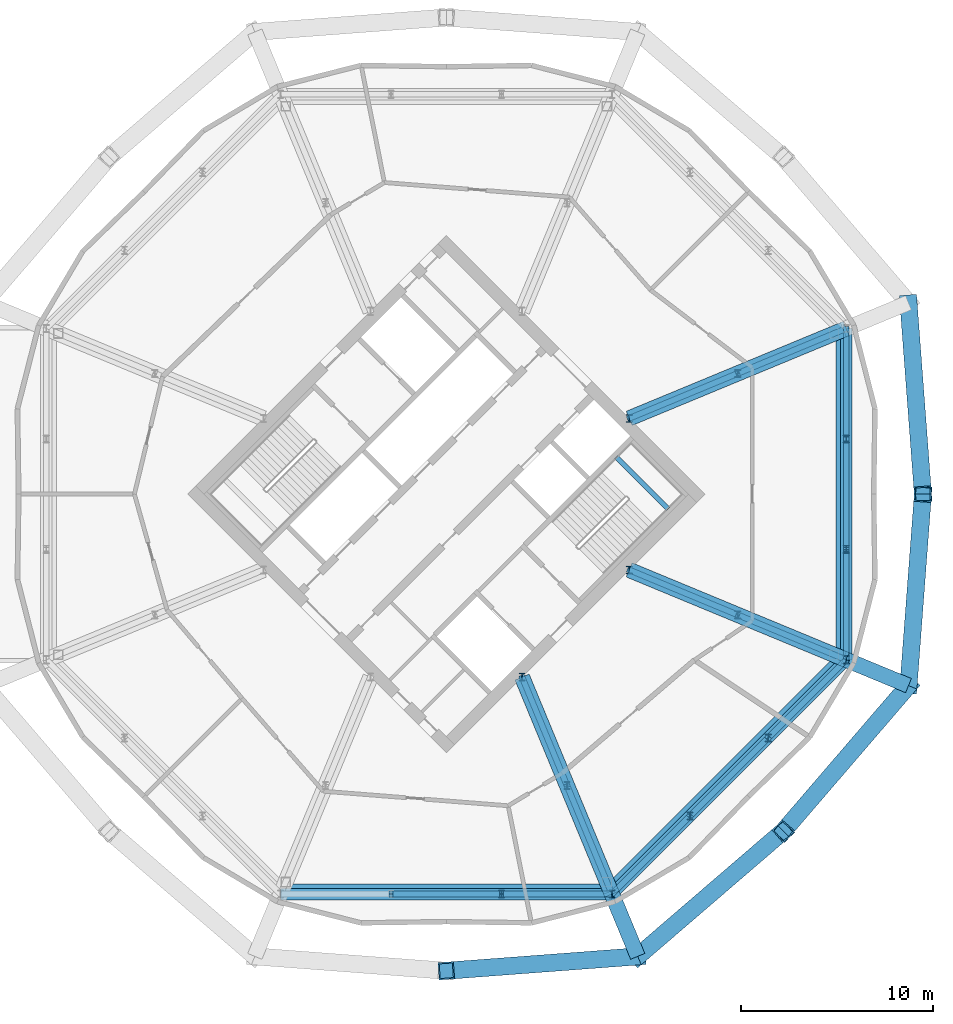
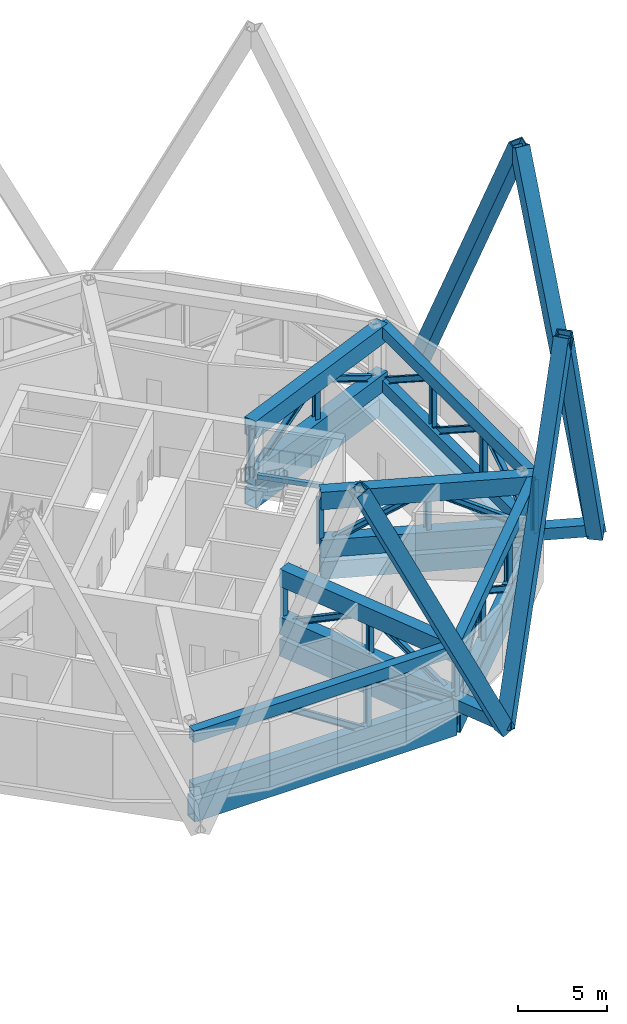
# One storey, part 8 of 20: 44 members, 9 beams.
"""IFC4 building model written with IfcOpenShell, lengths in metres."""

import ifcopenshell
import ifcopenshell.guid

model = None  # the IFC model being written
_history = None  # IfcOwnerHistory: only IFC2X3 demands one
_inside = {}  # id of a spatial element -> (the spatial element, [elements in it])
_under = {}  # id of a project, library or spatial element -> (it, [spatial elements below it])
_declared = {}  # id of a project -> (the project, [libraries it declares])
_typed = {}  # id of a type object -> (the type object, [elements of that type])
_made_of = {}  # id of a material, layer set ... -> (it, [elements and type objects made of it])


def new_model(schema):
    """Start an empty IFC model of exactly this schema.

    Asked for "IFC4X3", IfcOpenShell would pick the latest addendum, in which some entities
    have other attributes; the version numbers below select the first issue.
    IFC2X3 requires an IfcOwnerHistory on every rooted entity: one is made here for all.
    """
    global model, _history
    if schema == "IFC4X3":
        model = ifcopenshell.file(schema_version=(4, 3, 0, 0))
    else:
        model = ifcopenshell.file(schema=schema)
    _inside.clear()
    _under.clear()
    _declared.clear()
    _typed.clear()
    _made_of.clear()
    _history = None
    if model.schema == "IFC2X3":
        org = make("IfcOrganization", Name="unknown")
        user = make(
            "IfcPersonAndOrganization",
            ThePerson=make("IfcPerson", FamilyName="unknown"),
            TheOrganization=org,
        )
        app = make(
            "IfcApplication",
            ApplicationDeveloper=org,
            Version="unknown",
            ApplicationFullName="unknown",
            ApplicationIdentifier="unknown",
        )
        _history = make(
            "IfcOwnerHistory",
            OwningUser=user,
            OwningApplication=app,
            ChangeAction="ADDED",
            CreationDate=0,
        )
    return model


def make(cls, **values):
    """One entity of the class cls with the attributes given. An attribute that is None is left unset."""
    return model.create_entity(
        cls, **{name: value for name, value in values.items() if value is not None}
    )


def rooted(cls, **values):
    """An entity with a GlobalId (a new one), such as an element, a storey or a relation."""
    return make(cls, GlobalId=ifcopenshell.guid.new(), OwnerHistory=_history, **values)


def si_unit(unit_type, name, prefix=None):
    """IfcSIUnit, for example si_unit("LENGTHUNIT", "METRE", prefix="MILLI")."""
    return make("IfcSIUnit", UnitType=unit_type, Prefix=prefix, Name=name)


def assignment(units):
    """IfcUnitAssignment: the units of a project."""
    return None if units is None else make("IfcUnitAssignment", Units=units)


def point(xyz):
    """IfcCartesianPoint."""
    return None if xyz is None else make("IfcCartesianPoint", Coordinates=xyz)


def direction(xyz):
    """IfcDirection."""
    return None if xyz is None else make("IfcDirection", DirectionRatios=xyz)


def frame(location, z_axis=None, x_axis=None):
    """IfcAxis2Placement3D, a coordinate frame: its origin and axes. An axis left out is left unset."""
    return make(
        "IfcAxis2Placement3D",
        Location=point(location),
        Axis=direction(z_axis),
        RefDirection=direction(x_axis),
    )


def frame_2d(location, x_axis=None):
    """IfcAxis2Placement2D, a coordinate frame in the plane: its origin and x axis."""
    return make(
        "IfcAxis2Placement2D", Location=point(location), RefDirection=direction(x_axis)
    )


def origin():
    """The frame at (0, 0, 0) with its axes left unset."""
    return frame((0.0, 0.0, 0.0))


def origin_2d():
    """The frame at (0, 0) in the plane with its x axis left unset."""
    return frame_2d((0.0, 0.0))


def place(relative_to, where):
    """IfcLocalPlacement: puts the frame where relative to a parent placement (None: the world)."""
    return make(
        "IfcLocalPlacement", PlacementRelTo=relative_to, RelativePlacement=where
    )


def context(
    kind, dimensions, precision=None, world=None, true_north=None, identifier=None
):
    """IfcGeometricRepresentationContext, for example the 3D "Model" context."""
    return make(
        "IfcGeometricRepresentationContext",
        ContextIdentifier=identifier,
        ContextType=kind,
        CoordinateSpaceDimension=dimensions,
        Precision=precision,
        WorldCoordinateSystem=world,
        TrueNorth=true_north,
    )


def subcontext(parent, identifier, kind, view, scale=None):
    """IfcGeometricRepresentationSubContext, for example "Body" below "Model"."""
    return make(
        "IfcGeometricRepresentationSubContext",
        ContextIdentifier=identifier,
        ContextType=kind,
        ParentContext=parent,
        TargetScale=scale,
        TargetView=view,
    )


def project(units=None, contexts=None):
    """IfcProject with its units and contexts."""
    return rooted(
        "IfcProject",
        Name="project",
        RepresentationContexts=contexts,
        UnitsInContext=assignment(units),
    )


def spatial(cls, under=None, at=None, **own):
    """A site, building, storey or space (cls), placed at a placement, below another one or the project."""
    s = rooted(cls, ObjectPlacement=at, **own)
    if under is not None:
        _under.setdefault(under.id(), (under, []))[1].append(s)
    return s


def profile(cls, at=None, kind="AREA", **sizes):
    """A parametric profile (cls). Its sizes go by their IFC names, for example OverallWidth=200.0."""
    return make(cls, ProfileType=kind, Position=at, **sizes)


def rectangle(**sizes):
    """IfcRectangleProfileDef."""
    return profile("IfcRectangleProfileDef", **sizes)


def hollow_rectangle(**sizes):
    """IfcRectangleHollowProfileDef."""
    return profile("IfcRectangleHollowProfileDef", **sizes)


def i_section(**sizes):
    """IfcIShapeProfileDef."""
    return profile("IfcIShapeProfileDef", **sizes)


def extrude(swept, where, along, depth):
    """IfcExtrudedAreaSolid: the profile swept, set in the frame where, extruded along a direction by depth."""
    return make(
        "IfcExtrudedAreaSolid",
        SweptArea=swept,
        Position=where,
        ExtrudedDirection=direction(along),
        Depth=depth,
    )


def shape(context_of_items, identifier, shape_type, items):
    """IfcShapeRepresentation: the items that make up one representation, for example the "Body"."""
    return make(
        "IfcShapeRepresentation",
        ContextOfItems=context_of_items,
        RepresentationIdentifier=identifier,
        RepresentationType=shape_type,
        Items=items,
    )


def material(Name=None, Category=None):
    """IfcMaterial."""
    return make("IfcMaterial", Name=Name, Category=Category)


def material_profile(
    of_material, cross_section, Name=None, Category=None, Priority=None
):
    """IfcMaterialProfile: a cross section and its material."""
    return make(
        "IfcMaterialProfile",
        Name=Name,
        Material=of_material,
        Profile=cross_section,
        Priority=Priority,
        Category=Category,
    )


def profile_set(profiles, Name=None, composite=None):
    """IfcMaterialProfileSet."""
    return make(
        "IfcMaterialProfileSet",
        Name=Name,
        MaterialProfiles=profiles,
        CompositeProfile=composite,
    )


def made_of(thing, what):
    """Note that an element or type object is made of a material, layer set ...; save() writes the relation."""
    if what is not None:
        _made_of.setdefault(what.id(), (what, []))[1].append(thing)
    return thing


def type_object(cls, material=None, **own):
    """A type object (cls), such as IfcWallType, which elements share."""
    return made_of(rooted(cls, **own), material)


def element(
    cls,
    number,
    at=None,
    inside=None,
    cuts=None,
    type_object=None,
    material=None,
    context=None,
    identifier="Body",
    shape_type=None,
    held_by="IfcProductDefinitionShape",
    body=None,
    shapes=None,
    **own,
):
    """One element of the class cls, such as IfcWall. Its Tag is "e" and its number.

    at: its placement. inside: the storey or other place that contains it. cuts: it is an
    opening in that element (IfcRelVoidsElement). A single representation is given by context,
    identifier, shape_type and body (its items); several are given by shapes. held_by: the class
    of the entity that holds the representations. save() writes the other relations.
    """
    e = rooted(cls, Tag="e%d" % number, ObjectPlacement=at, **own)
    if body is not None:
        shapes = [shape(context, identifier, shape_type, body)]
    if shapes is not None:
        e.Representation = make(held_by, Representations=shapes)
    if inside is not None:
        _inside.setdefault(inside.id(), (inside, []))[1].append(e)
    if cuts is not None:
        rooted(
            "IfcRelVoidsElement", RelatingBuildingElement=cuts, RelatedOpeningElement=e
        )
    if type_object is not None:
        _typed.setdefault(type_object.id(), (type_object, []))[1].append(e)
    return made_of(e, material)


def aggregate(whole, parts):
    """IfcRelAggregates: a whole, such as a stair, and the parts it consists of."""
    return rooted("IfcRelAggregates", RelatingObject=whole, RelatedObjects=parts)


def save(model, path):
    """Write the relations noted so far, then the file.

    IfcRelAggregates (storeys below a building ...), IfcRelContainedInSpatialStructure (elements
    in a storey), IfcRelDefinesByType, IfcRelAssociatesMaterial and IfcRelDeclares: one each for
    every whole, place, type object, material and project.
    """
    for whole, parts in _under.values():
        aggregate(whole, parts)
    for where, things in _inside.values():
        rooted(
            "IfcRelContainedInSpatialStructure",
            RelatedElements=things,
            RelatingStructure=where,
        )
    for kind, things in _typed.values():
        rooted("IfcRelDefinesByType", RelatedObjects=things, RelatingType=kind)
    for what, things in _made_of.values():
        rooted("IfcRelAssociatesMaterial", RelatedObjects=things, RelatingMaterial=what)
    for by, libraries in _declared.values():
        rooted("IfcRelDeclares", RelatingContext=by, RelatedDefinitions=libraries)
    model.write(path)


model = new_model("IFC4")

# Units and contexts
model_context = context("Model", 3, precision=1e-05, world=origin(), true_north=direction((0.0, 1.0)))
body_context = subcontext(model_context, "Body", "Model", "MODEL_VIEW")
ifc_project = project(units=[si_unit("LENGTHUNIT", "METRE"), si_unit("AREAUNIT", "SQUARE_METRE"), si_unit("VOLUMEUNIT", "CUBIC_METRE"), si_unit("PLANEANGLEUNIT", "RADIAN"), si_unit("MASSUNIT", "GRAM", prefix="KILO")], contexts=[model_context])

# Site, building, storey
site_placement = place(None, origin())
site = spatial("IfcSite", under=ifc_project, at=site_placement, CompositionType="ELEMENT")
building_placement = place(site_placement, origin())
building = spatial("IfcBuilding", under=site, at=building_placement, Name="Ogive Gate Towers", CompositionType="ELEMENT")
storey_placement = place(building_placement, frame((0.0, 0.0, 160.800048828125)))
storey = spatial("IfcBuildingStorey", under=building, at=storey_placement, Name="L38", CompositionType="ELEMENT", Elevation=160.800048828125)

# Members
ifc_material_1 = material(Name="Steel SM460", Category="steel")
ifc_material_profile_1 = material_profile(ifc_material_1, hollow_rectangle(XDim=0.89990234375, YDim=0.89990234375, WallThickness=0.070068359375, at=origin_2d()), Name="BX 900x900x70")
ifc_profile_set_1 = profile_set([ifc_material_profile_1], Name="Steel SM460")
member_type_1 = type_object("IfcMemberType", Name="Diagrid diagonal BX 900x900x70", PredefinedType="BRACE", material=ifc_profile_set_1)
for number, where, z_axis, x_axis, name in (
    (1, (60.01171875, 9.94580078125, 0.0), (0.032953335145, -0.437994442779, 0.898373500165), (0.997181665421, 0.075024836873, 0.0), "T2/L38/SDG001"),
    (2, (45.94580078125, -24.01171875, 0.0), (-0.437994442779, -0.032953335145, 0.898373500165), (0.075024836873, -0.997181665421, 0.0), "T2/L38/SDG013"),
):
    element("IfcMember", number, at=place(storey_placement, frame(where, z_axis=z_axis, x_axis=x_axis)), inside=storey, type_object=member_type_1, Name=name, PredefinedType="BRACE", context=body_context, shape_type="SweptSolid", body=[
        extrude(hollow_rectangle(XDim=0.89990234375, YDim=0.89990234375, WallThickness=0.070068359375, at=origin_2d()), origin(), (0.0, 0.0, 1.0), 22.70751953125),
    ])
for number, where, z_axis, x_axis, name in (
    (3, (45.94580078125, -24.01171875, 0.0), (0.333025507377, 0.286407312058, 0.898367888471), (-0.652046304076, 0.758179145942, 0.0), "T2/L38/SDG014"),
    (4, (60.01171875, -9.94580078125, 0.0), (-0.286407312058, -0.333025507377, 0.898367888471), (0.758179145942, -0.652046304076, 0.0), "T2/L38/SDG015"),
):
    element("IfcMember", number, at=place(storey_placement, frame(where, z_axis=z_axis, x_axis=x_axis)), inside=storey, type_object=member_type_1, Name=name, PredefinedType="BRACE", context=body_context, shape_type="SweptSolid", body=[
        extrude(hollow_rectangle(XDim=0.89990234375, YDim=0.89990234375, WallThickness=0.070068359375, at=origin_2d()), origin(), (0.0, 0.0, 1.0), 22.707763671875),
    ])
member_1_placement = place(storey_placement, frame((60.01171875, -9.94580078125, 0.0), z_axis=(0.032953335145, 0.437994442779, 0.898373500165), x_axis=(-0.997181665421, 0.075024836873, 0.0)))
element("IfcMember", 5, at=member_1_placement, inside=storey, type_object=member_type_1, Name="T2/L38/SDG016", PredefinedType="BRACE", context=body_context, shape_type="SweptSolid", body=[
    extrude(hollow_rectangle(XDim=0.89990234375, YDim=0.89990234375, WallThickness=0.070068359375, at=origin_2d()), origin(), (0.0, 0.0, 1.0), 22.70751953125),
])

# Beams
ifc_material_profile_2 = material_profile(ifc_material_1, hollow_rectangle(XDim=0.800048828125, YDim=1.5, WallThickness=0.06005859375, at=origin_2d()), Name="BX 1500x800x60")
ifc_profile_set_2 = profile_set([ifc_material_profile_2], Name="Steel SM460")
beam_type_1 = type_object("IfcBeamType", Name="Edge girder BX 1500x800x60", PredefinedType="BEAM", material=ifc_profile_set_2)
beam_1_placement = place(storey_placement, frame((27.450927734375, -20.639404296875, -1.050048828125), z_axis=(1.0, 0.0, 0.0), x_axis=(0.0, 1.0, 0.0)))
element("IfcBeam", 6, at=beam_1_placement, inside=storey, type_object=beam_type_1, Name="T2/L38/SBM010", PredefinedType="BEAM", context=body_context, shape_type="SweptSolid", body=[
    extrude(hollow_rectangle(XDim=0.800048828125, YDim=1.5, WallThickness=0.06005859375, at=origin_2d()), origin(), (0.0, 0.0, 1.0), 17.09814453125),
])
beam_2_placement = place(storey_placement, frame((44.549072265625, -20.639404296875, -1.050048828125), z_axis=(0.707106781187, 0.707106781187, 0.0), x_axis=(-0.707106781187, 0.707106781187, 0.0)))
element("IfcBeam", 7, at=beam_2_placement, inside=storey, type_object=beam_type_1, Name="T2/L38/SBM011", PredefinedType="BEAM", context=body_context, shape_type="SweptSolid", body=[
    extrude(hollow_rectangle(XDim=0.800048828125, YDim=1.5, WallThickness=0.06005859375, at=origin_2d()), origin(), (0.0, 0.0, 1.0), 17.098388671875),
])
beam_3_placement = place(storey_placement, frame((56.639404296875, -8.549072265625, -1.050048828125), z_axis=(0.0, 1.0, 0.0), x_axis=(-1.0, 0.0, 0.0)))
element("IfcBeam", 8, at=beam_3_placement, inside=storey, type_object=beam_type_1, Name="T2/L38/SBM012", PredefinedType="BEAM", context=body_context, shape_type="SweptSolid", body=[
    extrude(hollow_rectangle(XDim=0.800048828125, YDim=1.5, WallThickness=0.06005859375, at=origin_2d()), origin(), (0.0, 0.0, 1.0), 17.09814453125),
])
ifc_material_2 = material(Name="Concrete C40/50", Category="concrete")
ifc_material_profile_3 = material_profile(ifc_material_2, rectangle(XDim=0.25, YDim=0.300048828125, at=origin_2d()), Name="RC 250x300")
ifc_profile_set_3 = profile_set([ifc_material_profile_3], Name="Concrete C40/50")
beam_type_2 = type_object("IfcBeamType", Name="Landing bearer RC 250x300", PredefinedType="BEAM", material=ifc_profile_set_3)
beam_4_placement = place(storey_placement, frame((47.527587890625, -0.77587890625, 2.050048828125), z_axis=(-0.707106781187, 0.707106781187, 0.0), x_axis=(-0.707106781187, -0.707106781187, 0.0)))
element("IfcBeam", 9, at=beam_4_placement, inside=storey, type_object=beam_type_2, Name="T2 L38 stair 2 landing bearer 1", PredefinedType="BEAM", context=body_context, shape_type="SweptSolid", body=[
    extrude(rectangle(XDim=0.25, YDim=0.300048828125, at=origin_2d()), origin(), (0.0, 0.0, 1.0), 3.824951171875),
])
ifc_material_profile_4 = material_profile(ifc_material_1, hollow_rectangle(XDim=0.800048828125, YDim=0.800048828125, WallThickness=0.050048828125, at=origin_2d()), Name="BX 800x800x50")
ifc_profile_set_4 = profile_set([ifc_material_profile_4], Name="Steel SM460")
beam_type_3 = type_object("IfcBeamType", Name="Node arm BX 800x800x50", PredefinedType="BEAM", material=ifc_profile_set_4)
for number, where, z_axis, x_axis, name in (
    (10, (44.6064453125, -20.778076171875, 0.449951171875), (0.382668033682, -0.923885910704, 0.0), (0.923885910704, 0.382668033682, 0.0), "T2/L38/SBM023"),
    (11, (56.778076171875, -8.6064453125, 0.449951171875), (0.923885910704, -0.382668033682, 0.0), (0.382668033682, 0.923885910704, 0.0), "T2/L38/SBM024"),
):
    element("IfcBeam", number, at=place(storey_placement, frame(where, z_axis=z_axis, x_axis=x_axis)), inside=storey, type_object=beam_type_3, Name=name, PredefinedType="BEAM", context=body_context, shape_type="SweptSolid", body=[
        extrude(hollow_rectangle(XDim=0.800048828125, YDim=0.800048828125, WallThickness=0.050048828125, at=origin_2d()), origin(), (0.0, 0.0, 1.0), 3.5),
    ])
ifc_material_profile_5 = material_profile(ifc_material_1, hollow_rectangle(XDim=0.800048828125, YDim=1.199951171875, WallThickness=0.050048828125, at=origin_2d()), Name="BX 1200x800x50")
ifc_profile_set_5 = profile_set([ifc_material_profile_5], Name="Steel SM460")
beam_type_4 = type_object("IfcBeamType", Name="Transfer radial beam BX 1200x800x50", PredefinedType="BEAM", material=ifc_profile_set_5)
for number, where, z_axis, x_axis, name in (
    (12, (39.93505859375, -9.5, -0.900146484375), (0.382677863518, -0.923881839184, 0.0), (0.923881839184, 0.382677863518, 0.0), "T2/L38/SBM003"),
    (13, (45.5, -3.93505859375, -0.900146484375), (0.923881839184, -0.382677863518, 0.0), (0.382677863518, 0.923881839184, 0.0), "T2/L38/SBM004"),
    (14, (45.5, 3.93505859375, -0.900146484375), (0.923881839184, 0.382677863518, 0.0), (-0.382677863518, 0.923881839184, 0.0), "T2/L38/SBM005"),
):
    element("IfcBeam", number, at=place(storey_placement, frame(where, z_axis=z_axis, x_axis=x_axis)), inside=storey, type_object=beam_type_4, Name=name, PredefinedType="BEAM", context=body_context, shape_type="SweptSolid", body=[
        extrude(hollow_rectangle(XDim=0.800048828125, YDim=1.199951171875, WallThickness=0.050048828125, at=origin_2d()), origin(), (0.0, 0.0, 1.0), 12.05712890625),
    ])

# Members
ifc_material_profile_6 = material_profile(ifc_material_1, hollow_rectangle(XDim=0.800048828125, YDim=1.199951171875, WallThickness=0.050048828125, at=origin_2d()), Name="BX 1200x800x50")
ifc_profile_set_6 = profile_set([ifc_material_profile_6], Name="Steel SM460")
member_type_2 = type_object("IfcMemberType", Name="Truss chord BX 1200x800x50", PredefinedType="CHORD", material=ifc_profile_set_6)
for number, where, z_axis, x_axis, name in (
    (15, (45.5, 3.93505859375, 0.599853515625), (0.9238837433, 0.382673266464, 0.0), (-0.382673266464, 0.9238837433, 0.0), "T2/L38/STR010"),
    (16, (45.5, 3.93505859375, 3.89990234375), (0.9238837433, 0.382673266464, 0.0), (-0.382673266464, 0.9238837433, 0.0), "T2/L38/STR011"),
    (17, (39.93505859375, -9.5, 0.599853515625), (0.382673266464, -0.9238837433, 0.0), (0.9238837433, 0.382673266464, 0.0), "T2/L38/STR094"),
    (18, (39.93505859375, -9.5, 3.89990234375), (0.382673266464, -0.9238837433, 0.0), (0.9238837433, 0.382673266464, 0.0), "T2/L38/STR095"),
    (19, (45.5, -3.93505859375, 0.599853515625), (0.9238837433, -0.382673266464, 0.0), (0.382673266464, 0.9238837433, 0.0), "T2/L38/STR107"),
    (20, (45.5, -3.93505859375, 3.89990234375), (0.9238837433, -0.382673266464, 0.0), (0.382673266464, 0.9238837433, 0.0), "T2/L38/STR108"),
):
    element("IfcMember", number, at=place(storey_placement, frame(where, z_axis=z_axis, x_axis=x_axis)), inside=storey, type_object=member_type_2, Name=name, PredefinedType="CHORD", context=body_context, shape_type="SweptSolid", body=[
        extrude(hollow_rectangle(XDim=0.800048828125, YDim=1.199951171875, WallThickness=0.050048828125, at=origin_2d()), origin(), (0.0, 0.0, 1.0), 12.207275390625),
    ])
ifc_material_profile_7 = material_profile(ifc_material_1, hollow_rectangle(XDim=0.60009765625, YDim=0.800048828125, WallThickness=0.0400390625, at=origin_2d()), Name="BX 800x600x40")
ifc_profile_set_7 = profile_set([ifc_material_profile_7], Name="Steel SM460")
member_type_3 = type_object("IfcMemberType", Name="Truss chord BX 800x600x40", PredefinedType="CHORD", material=ifc_profile_set_7)
for number, where, z_axis, x_axis, name in (
    (21, (27.3935546875, -20.778076171875, 0.39990234375), (1.0, 0.0, 0.0), (0.0, 1.0, 0.0), "T2/L38/STR072"),
    (22, (27.3935546875, -20.778076171875, 4.099853515625), (1.0, 0.0, 0.0), (0.0, 1.0, 0.0), "T2/L38/STR073"),
):
    element("IfcMember", number, at=place(storey_placement, frame(where, z_axis=z_axis, x_axis=x_axis)), inside=storey, type_object=member_type_3, Name=name, PredefinedType="CHORD", context=body_context, shape_type="SweptSolid", body=[
        extrude(hollow_rectangle(XDim=0.60009765625, YDim=0.800048828125, WallThickness=0.0400390625, at=origin_2d()), origin(), (0.0, 0.0, 1.0), 17.212890625),
    ])
for number, where, z_axis, x_axis, name in (
    (23, (44.6064453125, -20.778076171875, 0.39990234375), (0.707106781187, 0.707106781187, 0.0), (-0.707106781187, 0.707106781187, 0.0), "T2/L38/STR086"),
    (24, (44.6064453125, -20.778076171875, 4.099853515625), (0.707106781187, 0.707106781187, 0.0), (-0.707106781187, 0.707106781187, 0.0), "T2/L38/STR087"),
):
    element("IfcMember", number, at=place(storey_placement, frame(where, z_axis=z_axis, x_axis=x_axis)), inside=storey, type_object=member_type_3, Name=name, PredefinedType="CHORD", context=body_context, shape_type="SweptSolid", body=[
        extrude(hollow_rectangle(XDim=0.60009765625, YDim=0.800048828125, WallThickness=0.0400390625, at=origin_2d()), origin(), (0.0, 0.0, 1.0), 17.21337890625),
    ])
for number, where, z_axis, x_axis, name in (
    (25, (56.778076171875, -8.6064453125, 0.39990234375), (0.0, 1.0, 0.0), (-1.0, 0.0, 0.0), "T2/L38/STR100"),
    (26, (56.778076171875, -8.6064453125, 4.099853515625), (0.0, 1.0, 0.0), (-1.0, 0.0, 0.0), "T2/L38/STR101"),
):
    element("IfcMember", number, at=place(storey_placement, frame(where, z_axis=z_axis, x_axis=x_axis)), inside=storey, type_object=member_type_3, Name=name, PredefinedType="CHORD", context=body_context, shape_type="SweptSolid", body=[
        extrude(hollow_rectangle(XDim=0.60009765625, YDim=0.800048828125, WallThickness=0.0400390625, at=origin_2d()), origin(), (0.0, 0.0, 1.0), 17.212890625),
    ])
ifc_material_profile_8 = material_profile(ifc_material_1, i_section(OverallWidth=0.300048828125, OverallDepth=0.39990234375, WebThickness=0.013427734375, FlangeThickness=0.02392578125, FilletRadius=0.027099609375, at=origin_2d()), Name="HE 400 B")
ifc_profile_set_8 = profile_set([ifc_material_profile_8], Name="Steel SM460")
member_type_4 = type_object("IfcMemberType", Name="Truss diagonal HE 400 B", PredefinedType="BRACE", material=ifc_profile_set_8)
member_2_placement = place(storey_placement, frame((45.5, 3.93505859375, 0.599853515625), z_axis=(0.812696392347, 0.336626678165, 0.47561229317), x_axis=(-0.382680337371, 0.923880814494, 0.0)))
element("IfcMember", 27, at=member_2_placement, inside=storey, type_object=member_type_4, Name="T2/L38/STR012", PredefinedType="BRACE", context=body_context, shape_type="SweptSolid", body=[
    extrude(i_section(OverallWidth=0.300048828125, OverallDepth=0.39990234375, WebThickness=0.013427734375, FlangeThickness=0.02392578125, FilletRadius=0.027099609375, at=origin_2d()), origin(), (0.0, 0.0, 1.0), 6.9384765625),
])
member_3_placement = place(storey_placement, frame((51.138916015625, 6.270751953125, 3.89990234375), z_axis=(0.812708338424, 0.336617052286, -0.475598692981), x_axis=(-0.382666195796, 0.923886671944, 0.0)))
element("IfcMember", 28, at=member_3_placement, inside=storey, type_object=member_type_4, Name="T2/L38/STR013", PredefinedType="BRACE", context=body_context, shape_type="SweptSolid", body=[
    extrude(i_section(OverallWidth=0.300048828125, OverallDepth=0.39990234375, WebThickness=0.013427734375, FlangeThickness=0.02392578125, FilletRadius=0.027099609375, at=origin_2d()), origin(), (0.0, 0.0, 1.0), 6.938720703125),
])
member_4_placement = place(storey_placement, frame((33.131103515625, -20.778076171875, 4.099853515625), z_axis=(0.840420116299, 0.0, -0.541935446452), x_axis=(0.0, 1.0, 0.0)))
element("IfcMember", 29, at=member_4_placement, inside=storey, type_object=member_type_4, Name="T2/L38/STR075", PredefinedType="BRACE", context=body_context, shape_type="SweptSolid", body=[
    extrude(i_section(OverallWidth=0.300048828125, OverallDepth=0.39990234375, WebThickness=0.013427734375, FlangeThickness=0.02392578125, FilletRadius=0.027099609375, at=origin_2d()), origin(), (0.0, 0.0, 1.0), 6.827392578125),
])
for number, where, z_axis, x_axis, name in (
    (30, (38.868896484375, -20.778076171875, 4.099853515625), (0.840409613469, 0.0, -0.541951733634), (0.0, 1.0, 0.0), "T2/L38/STR076"),
    (31, (44.6064453125, -20.778076171875, 0.39990234375), (0.594262314662, 0.594262314662, 0.541945202714), (-0.707106781187, 0.707106781187, 0.0), "T2/L38/STR088"),
):
    element("IfcMember", number, at=place(storey_placement, frame(where, z_axis=z_axis, x_axis=x_axis)), inside=storey, type_object=member_type_4, Name=name, PredefinedType="BRACE", context=body_context, shape_type="SweptSolid", body=[
        extrude(i_section(OverallWidth=0.300048828125, OverallDepth=0.39990234375, WebThickness=0.013427734375, FlangeThickness=0.02392578125, FilletRadius=0.027099609375, at=origin_2d()), origin(), (0.0, 0.0, 1.0), 6.8271484375),
    ])
member_5_placement = place(storey_placement, frame((48.66357421875, -16.720947265625, 4.099853515625), z_axis=(0.594272816916, 0.594272816916, -0.541922169827), x_axis=(-0.707106781187, 0.707106781187, 0.0)))
element("IfcMember", 32, at=member_5_placement, inside=storey, type_object=member_type_4, Name="T2/L38/STR089", PredefinedType="BRACE", context=body_context, shape_type="SweptSolid", body=[
    extrude(i_section(OverallWidth=0.300048828125, OverallDepth=0.39990234375, WebThickness=0.013427734375, FlangeThickness=0.02392578125, FilletRadius=0.027099609375, at=origin_2d()), origin(), (0.0, 0.0, 1.0), 6.827392578125),
])
member_6_placement = place(storey_placement, frame((52.720947265625, -12.66357421875, 4.099853515625), z_axis=(0.594262314662, 0.594262314662, -0.541945202714), x_axis=(-0.707106781187, 0.707106781187, 0.0)))
element("IfcMember", 33, at=member_6_placement, inside=storey, type_object=member_type_4, Name="T2/L38/STR090", PredefinedType="BRACE", context=body_context, shape_type="SweptSolid", body=[
    extrude(i_section(OverallWidth=0.300048828125, OverallDepth=0.39990234375, WebThickness=0.013427734375, FlangeThickness=0.02392578125, FilletRadius=0.027099609375, at=origin_2d()), origin(), (0.0, 0.0, 1.0), 6.8271484375),
])
member_7_placement = place(storey_placement, frame((39.93505859375, -9.5, 0.599853515625), z_axis=(0.336626678165, -0.812696392347, 0.47561229317), x_axis=(0.923880814494, 0.382680337371, 0.0)))
element("IfcMember", 34, at=member_7_placement, inside=storey, type_object=member_type_4, Name="T2/L38/STR096", PredefinedType="BRACE", context=body_context, shape_type="SweptSolid", body=[
    extrude(i_section(OverallWidth=0.300048828125, OverallDepth=0.39990234375, WebThickness=0.013427734375, FlangeThickness=0.02392578125, FilletRadius=0.027099609375, at=origin_2d()), origin(), (0.0, 0.0, 1.0), 6.9384765625),
])
member_8_placement = place(storey_placement, frame((42.270751953125, -15.138916015625, 3.89990234375), z_axis=(0.336617052286, -0.812708338424, -0.475598692981), x_axis=(0.923886671944, 0.382666195796, 0.0)))
element("IfcMember", 35, at=member_8_placement, inside=storey, type_object=member_type_4, Name="T2/L38/STR097", PredefinedType="BRACE", context=body_context, shape_type="SweptSolid", body=[
    extrude(i_section(OverallWidth=0.300048828125, OverallDepth=0.39990234375, WebThickness=0.013427734375, FlangeThickness=0.02392578125, FilletRadius=0.027099609375, at=origin_2d()), origin(), (0.0, 0.0, 1.0), 6.938720703125),
])
member_9_placement = place(storey_placement, frame((56.778076171875, -8.6064453125, 0.39990234375), z_axis=(0.0, 0.840409613469, 0.541951733634), x_axis=(-1.0, 0.0, 0.0)))
element("IfcMember", 36, at=member_9_placement, inside=storey, type_object=member_type_4, Name="T2/L38/STR102", PredefinedType="BRACE", context=body_context, shape_type="SweptSolid", body=[
    extrude(i_section(OverallWidth=0.300048828125, OverallDepth=0.39990234375, WebThickness=0.013427734375, FlangeThickness=0.02392578125, FilletRadius=0.027099609375, at=origin_2d()), origin(), (0.0, 0.0, 1.0), 6.8271484375),
])
member_10_placement = place(storey_placement, frame((56.778076171875, -2.868896484375, 4.099853515625), z_axis=(0.0, 0.840420116299, -0.541935446452), x_axis=(-1.0, 0.0, 0.0)))
element("IfcMember", 37, at=member_10_placement, inside=storey, type_object=member_type_4, Name="T2/L38/STR103", PredefinedType="BRACE", context=body_context, shape_type="SweptSolid", body=[
    extrude(i_section(OverallWidth=0.300048828125, OverallDepth=0.39990234375, WebThickness=0.013427734375, FlangeThickness=0.02392578125, FilletRadius=0.027099609375, at=origin_2d()), origin(), (0.0, 0.0, 1.0), 6.827392578125),
])
member_11_placement = place(storey_placement, frame((56.778076171875, 2.868896484375, 4.099853515625), z_axis=(0.0, 0.840409613469, -0.541951733634), x_axis=(-1.0, 0.0, 0.0)))
element("IfcMember", 38, at=member_11_placement, inside=storey, type_object=member_type_4, Name="T2/L38/STR104", PredefinedType="BRACE", context=body_context, shape_type="SweptSolid", body=[
    extrude(i_section(OverallWidth=0.300048828125, OverallDepth=0.39990234375, WebThickness=0.013427734375, FlangeThickness=0.02392578125, FilletRadius=0.027099609375, at=origin_2d()), origin(), (0.0, 0.0, 1.0), 6.8271484375),
])
member_12_placement = place(storey_placement, frame((45.5, -3.93505859375, 0.599853515625), z_axis=(0.812696392347, -0.336626678165, 0.47561229317), x_axis=(0.382680337371, 0.923880814494, 0.0)))
element("IfcMember", 39, at=member_12_placement, inside=storey, type_object=member_type_4, Name="T2/L38/STR109", PredefinedType="BRACE", context=body_context, shape_type="SweptSolid", body=[
    extrude(i_section(OverallWidth=0.300048828125, OverallDepth=0.39990234375, WebThickness=0.013427734375, FlangeThickness=0.02392578125, FilletRadius=0.027099609375, at=origin_2d()), origin(), (0.0, 0.0, 1.0), 6.9384765625),
])
member_13_placement = place(storey_placement, frame((51.138916015625, -6.270751953125, 3.89990234375), z_axis=(0.812708338424, -0.336617052286, -0.475598692981), x_axis=(0.382666195796, 0.923886671944, 0.0)))
element("IfcMember", 40, at=member_13_placement, inside=storey, type_object=member_type_4, Name="T2/L38/STR110", PredefinedType="BRACE", context=body_context, shape_type="SweptSolid", body=[
    extrude(i_section(OverallWidth=0.300048828125, OverallDepth=0.39990234375, WebThickness=0.013427734375, FlangeThickness=0.02392578125, FilletRadius=0.027099609375, at=origin_2d()), origin(), (0.0, 0.0, 1.0), 6.938720703125),
])
ifc_material_profile_9 = material_profile(ifc_material_1, i_section(OverallWidth=0.300048828125, OverallDepth=0.39990234375, WebThickness=0.013427734375, FlangeThickness=0.02392578125, FilletRadius=0.027099609375, at=origin_2d()), Name="HE 400 B")
ifc_profile_set_9 = profile_set([ifc_material_profile_9], Name="Steel SM460")
member_type_5 = type_object("IfcMemberType", Name="Truss post HE 400 B", PredefinedType="POST", material=ifc_profile_set_9)
for number, where, z_axis, x_axis, name in (
    (41, (45.5, 3.93505859375, 0.599853515625), (0.0, 0.0, 1.0), (1.0, 0.0, 0.0), "T2/L38/STR014"),
    (42, (51.138916015625, 6.270751953125, 0.599853515625), (0.0, 0.0, 1.0), (1.0, 0.0, 0.0), "T2/L38/STR015"),
):
    element("IfcMember", number, at=place(storey_placement, frame(where, z_axis=z_axis, x_axis=x_axis)), inside=storey, type_object=member_type_5, Name=name, PredefinedType="POST", context=body_context, shape_type="SweptSolid", body=[
        extrude(i_section(OverallWidth=0.300048828125, OverallDepth=0.39990234375, WebThickness=0.013427734375, FlangeThickness=0.02392578125, FilletRadius=0.027099609375, at=origin_2d()), origin(), (0.0, 0.0, 1.0), 3.300048828125),
    ])
for number, where, z_axis, x_axis, name in (
    (43, (38.868896484375, -20.778076171875, 0.39990234375), (0.0, 0.0, 1.0), (1.0, 0.0, 0.0), "T2/L38/STR078"),
    (44, (44.6064453125, -20.778076171875, 0.39990234375), (0.0, 0.0, 1.0), (1.0, 0.0, 0.0), "T2/L38/STR079"),
    (45, (48.66357421875, -16.720947265625, 0.39990234375), (0.0, 0.0, 1.0), (1.0, 0.0, 0.0), "T2/L38/STR091"),
    (46, (52.720947265625, -12.66357421875, 0.39990234375), (0.0, 0.0, 1.0), (1.0, 0.0, 0.0), "T2/L38/STR092"),
    (47, (56.778076171875, -8.6064453125, 0.39990234375), (0.0, 0.0, 1.0), (1.0, 0.0, 0.0), "T2/L38/STR093"),
):
    element("IfcMember", number, at=place(storey_placement, frame(where, z_axis=z_axis, x_axis=x_axis)), inside=storey, type_object=member_type_5, Name=name, PredefinedType="POST", context=body_context, shape_type="SweptSolid", body=[
        extrude(i_section(OverallWidth=0.300048828125, OverallDepth=0.39990234375, WebThickness=0.013427734375, FlangeThickness=0.02392578125, FilletRadius=0.027099609375, at=origin_2d()), origin(), (0.0, 0.0, 1.0), 3.699951171875),
    ])
for number, where, z_axis, x_axis, name in (
    (48, (39.93505859375, -9.5, 0.599853515625), (0.0, 0.0, 1.0), (1.0, 0.0, 0.0), "T2/L38/STR098"),
    (49, (42.270751953125, -15.138916015625, 0.599853515625), (0.0, 0.0, 1.0), (1.0, 0.0, 0.0), "T2/L38/STR099"),
):
    element("IfcMember", number, at=place(storey_placement, frame(where, z_axis=z_axis, x_axis=x_axis)), inside=storey, type_object=member_type_5, Name=name, PredefinedType="POST", context=body_context, shape_type="SweptSolid", body=[
        extrude(i_section(OverallWidth=0.300048828125, OverallDepth=0.39990234375, WebThickness=0.013427734375, FlangeThickness=0.02392578125, FilletRadius=0.027099609375, at=origin_2d()), origin(), (0.0, 0.0, 1.0), 3.300048828125),
    ])
for number, where, z_axis, x_axis, name in (
    (50, (56.778076171875, -2.868896484375, 0.39990234375), (0.0, 0.0, 1.0), (1.0, 0.0, 0.0), "T2/L38/STR105"),
    (51, (56.778076171875, 2.868896484375, 0.39990234375), (0.0, 0.0, 1.0), (1.0, 0.0, 0.0), "T2/L38/STR106"),
):
    element("IfcMember", number, at=place(storey_placement, frame(where, z_axis=z_axis, x_axis=x_axis)), inside=storey, type_object=member_type_5, Name=name, PredefinedType="POST", context=body_context, shape_type="SweptSolid", body=[
        extrude(i_section(OverallWidth=0.300048828125, OverallDepth=0.39990234375, WebThickness=0.013427734375, FlangeThickness=0.02392578125, FilletRadius=0.027099609375, at=origin_2d()), origin(), (0.0, 0.0, 1.0), 3.699951171875),
    ])
for number, where, z_axis, x_axis, name in (
    (52, (45.5, -3.93505859375, 0.599853515625), (0.0, 0.0, 1.0), (1.0, 0.0, 0.0), "T2/L38/STR111"),
    (53, (51.138916015625, -6.270751953125, 0.599853515625), (0.0, 0.0, 1.0), (1.0, 0.0, 0.0), "T2/L38/STR112"),
):
    element("IfcMember", number, at=place(storey_placement, frame(where, z_axis=z_axis, x_axis=x_axis)), inside=storey, type_object=member_type_5, Name=name, PredefinedType="POST", context=body_context, shape_type="SweptSolid", body=[
        extrude(i_section(OverallWidth=0.300048828125, OverallDepth=0.39990234375, WebThickness=0.013427734375, FlangeThickness=0.02392578125, FilletRadius=0.027099609375, at=origin_2d()), origin(), (0.0, 0.0, 1.0), 3.300048828125),
    ])

save(model, "model.ifc")
